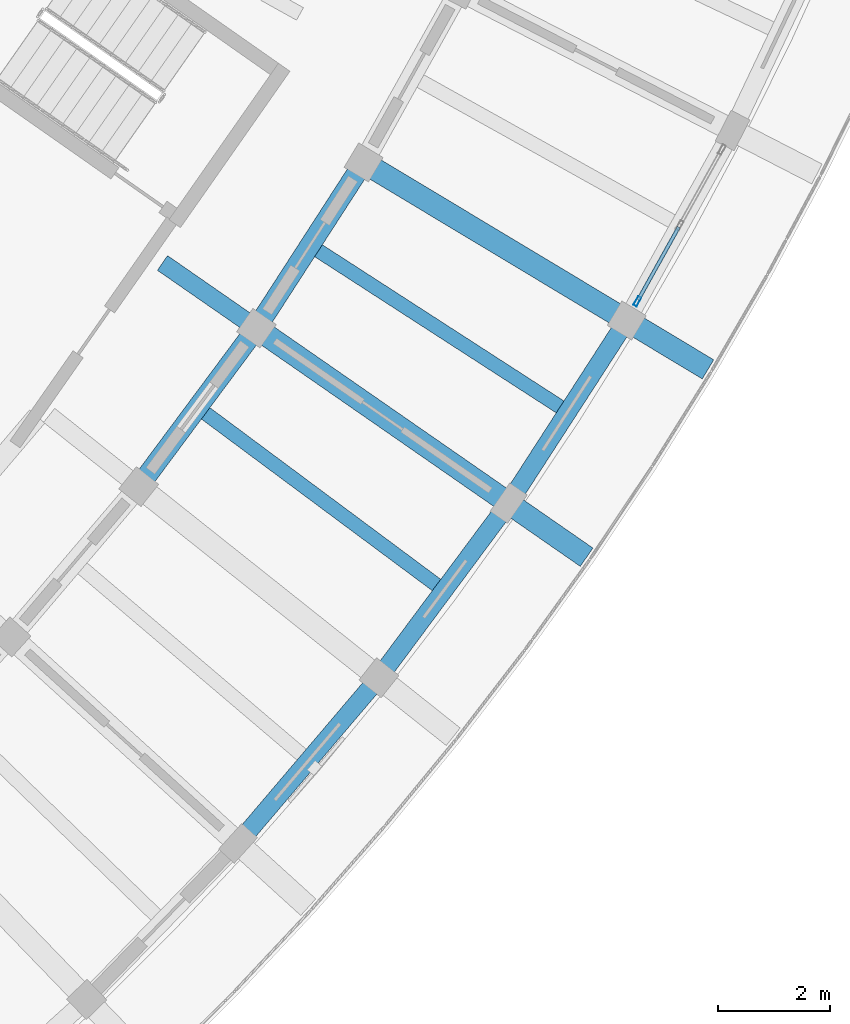
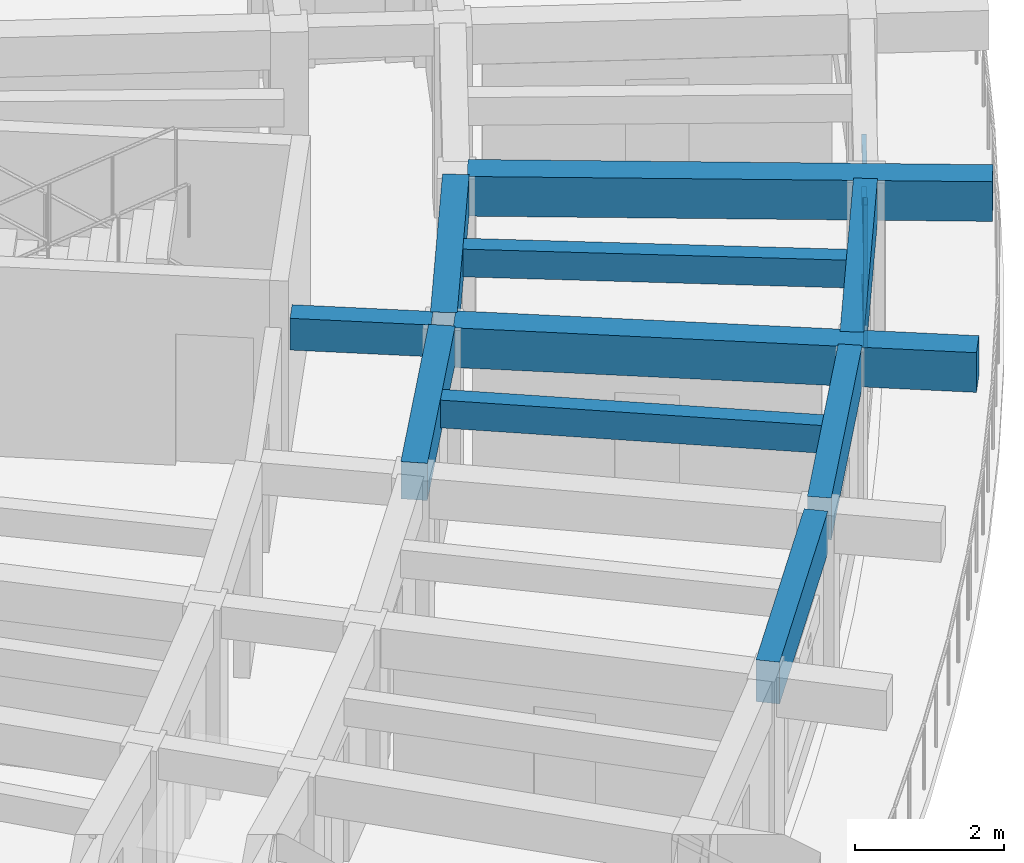
# One storey, part 23 of 83: 10 beams, 4 members, 1 element without a shape of its own.
"""IFC4 building model written with IfcOpenShell, lengths in metres."""

from ifc_helpers import new_model, si_unit, direction, frame, origin, origin_2d, place, context, subcontext, project, spatial, rectangle, hollow_rectangle, extrude, material, material_profile, profile_set, type_object, element, aggregate, save


model = new_model("IFC4")

# Units and contexts
model_context = context("Model", 3, precision=1e-05, world=origin(), true_north=direction((0.0, 1.0)))
body_context = subcontext(model_context, "Body", "Model", "MODEL_VIEW")
ifc_project = project(units=[si_unit("LENGTHUNIT", "METRE"), si_unit("AREAUNIT", "SQUARE_METRE"), si_unit("VOLUMEUNIT", "CUBIC_METRE"), si_unit("PLANEANGLEUNIT", "RADIAN"), si_unit("MASSUNIT", "GRAM", prefix="KILO")], contexts=[model_context])

# Site, building, storey
site_placement = place(None, origin())
site = spatial("IfcSite", under=ifc_project, at=site_placement, CompositionType="ELEMENT")
building_placement = place(site_placement, origin())
building = spatial("IfcBuilding", under=site, at=building_placement, Name="Tanwirah Colonnade Gardens", CompositionType="ELEMENT")
storey_placement = place(building_placement, frame((0.0, 0.0, 25.639892578125)))
storey = spatial("IfcBuildingStorey", under=building, at=storey_placement, Name="L07", CompositionType="ELEMENT", Elevation=25.639892578125)

# Beams
ifc_material_1 = material(Name="Precast concrete C40/50", Category="concrete")
ifc_material_profile_1 = material_profile(ifc_material_1, rectangle(XDim=0.360107421875, YDim=0.610107421875, at=origin_2d()), Name="PC-BM 360x610")
ifc_profile_set_1 = profile_set([ifc_material_profile_1], Name="Precast concrete C40/50")
beam_type_1 = type_object("IfcBeamType", Name="BM-PC300", PredefinedType="BEAM", material=ifc_profile_set_1)
beam_1_placement = place(storey_placement, frame((163.389404296875, 30.973388671875, 2.80517578125), z_axis=(0.596579473879, 0.802554005252, 0.0), x_axis=(-0.802554005252, 0.596579473879, 0.0)))
element("IfcBeam", 1, at=beam_1_placement, inside=storey, type_object=beam_type_1, Name="Block D L07 Circumferential Beam 10-R2", PredefinedType="BEAM", context=body_context, shape_type="SweptSolid", body=[
    extrude(rectangle(XDim=0.360107421875, YDim=0.610107421875, at=origin_2d()), origin(), (0.0, 0.0, 1.0), 3.237060546875),
])
beam_2_placement = place(storey_placement, frame((165.491455078125, 33.817626953125, 2.80517578125), z_axis=(0.542825891173, 0.839845254718, 0.0), x_axis=(-0.839845254718, 0.542825891173, 0.0)))
element("IfcBeam", 2, at=beam_2_placement, inside=storey, type_object=beam_type_1, Name="Block D L07 Circumferential Beam 11-R2", PredefinedType="BEAM", context=body_context, shape_type="SweptSolid", body=[
    extrude(rectangle(XDim=0.360107421875, YDim=0.610107421875, at=origin_2d()), origin(), (0.0, 0.0, 1.0), 3.23681640625),
])
ifc_material_profile_2 = material_profile(ifc_material_1, rectangle(XDim=0.320068359375, YDim=0.52001953125, at=origin_2d()), Name="PC-BM 320x520")
ifc_profile_set_2 = profile_set([ifc_material_profile_2], Name="Precast concrete C40/50")
beam_type_2 = type_object("IfcBeamType", Name="BM-PC320", PredefinedType="BEAM", material=ifc_profile_set_2)
beam_3_placement = place(storey_placement, frame((163.7255859375, 34.860107421875, 2.85009765625), z_axis=(0.821669163201, -0.569964723684, 0.0), x_axis=(0.569964723684, 0.821669163201, 0.0)))
element("IfcBeam", 3, at=beam_3_placement, inside=storey, type_object=beam_type_2, Name="Block D L07 Corridor Tie Beam 11", PredefinedType="BEAM", context=body_context, shape_type="SweptSolid", body=[
    extrude(rectangle(XDim=0.320068359375, YDim=0.52001953125, at=origin_2d()), origin(), (0.0, 0.0, 1.0), 1.900146484375),
])
ifc_material_2 = material(Name="Precast concrete C45/55", Category="concrete")
ifc_material_profile_3 = material_profile(ifc_material_2, rectangle(XDim=0.39990234375, YDim=0.64990234375, at=origin_2d()), Name="PC-BM 400x650")
ifc_profile_set_3 = profile_set([ifc_material_profile_3], Name="Precast concrete C45/55")
beam_type_3 = type_object("IfcBeamType", Name="BM-PC400", PredefinedType="BEAM", material=ifc_profile_set_3)
for number, where, z_axis, x_axis, name in (
    (4, (165.533203125, 33.606201171875, 2.78515625), (0.821647028495, -0.569996632066, 0.0), (0.569996632066, 0.821647028495, 0.0), "Block D L07 Outer Radial Precast Girder 11"),
    (5, (167.45849609375, 36.5849609375, 2.78515625), (0.857159687729, -0.515050744812, 0.0), (0.515050744812, 0.857159687729, 0.0), "Block D L07 Outer Radial Precast Girder 12"),
):
    element("IfcBeam", number, at=place(storey_placement, frame(where, z_axis=z_axis, x_axis=x_axis)), inside=storey, type_object=beam_type_3, Name=name, PredefinedType="BEAM", context=body_context, shape_type="SweptSolid", body=[
        extrude(rectangle(XDim=0.39990234375, YDim=0.64990234375, at=origin_2d()), origin(), (0.0, 0.0, 1.0), 7.050048828125),
    ])

# Curtain wall, members
ifc_material_3 = material(Name="Bronze-anodised aluminium and solar-control low-E glass", Category="aluminium")
curtain_wall_type = type_object("IfcCurtainWallType", Name="CW-LOB", PredefinedType="NOTDEFINED", material=ifc_material_3)
curtain_wall_placement = place(storey_placement, origin())
curtain_wall = element("IfcCurtainWall", 6, at=curtain_wall_placement, inside=storey, type_object=curtain_wall_type, Name="Curtain Wall CW-D-L07-OUT-12", PredefinedType="NOTDEFINED")
ifc_material_4 = material(Name="Bronze-anodised aluminium", Category="aluminium")
ifc_material_profile_4 = material_profile(ifc_material_4, hollow_rectangle(XDim=0.06494140625, YDim=0.179931640625, WallThickness=0.00390625, at=origin_2d()), Name="CW-MUL 65x180x4")
ifc_profile_set_4 = profile_set([ifc_material_profile_4], Name="Bronze-anodised aluminium")
member_type_1 = type_object("IfcMemberType", Name="CWM-65x180", PredefinedType="MULLION", material=ifc_profile_set_4)
member_1_placement = place(storey_placement, frame((172.2353515625, 34.17236328125, 0.0), z_axis=(0.0, 0.0, 1.0), x_axis=(-0.873560768318, 0.486715095364, 0.0)))
member_1 = element("IfcMember", 7, at=member_1_placement, type_object=member_type_1, Name="CW-LOB mullion 1", PredefinedType="MULLION", context=body_context, shape_type="SweptSolid", body=[
    extrude(hollow_rectangle(XDim=0.06494140625, YDim=0.179931640625, WallThickness=0.00390625, at=origin_2d()), origin(), (0.0, 0.0, 1.0), 2.355224609375),
])
ifc_material_profile_5 = material_profile(ifc_material_4, hollow_rectangle(XDim=0.06494140625, YDim=0.135009765625, WallThickness=0.00390625, at=origin_2d()), Name="CW-TRN 65x135x4")
ifc_profile_set_5 = profile_set([ifc_material_profile_5], Name="Bronze-anodised aluminium")
member_type_2 = type_object("IfcMemberType", Name="CWT-65x135", PredefinedType="USERDEFINED", material=ifc_profile_set_5)
member_2_placement = place(storey_placement, frame((172.251220703125, 34.20068359375, 0.03271484375), z_axis=(0.486657529313, 0.873592839464, 0.0), x_axis=(-0.873592839464, 0.486657529313, 0.0)))
member_2 = element("IfcMember", 8, at=member_2_placement, type_object=member_type_2, Name="CW-LOB transom 1.1", ObjectType="TRANSOM", PredefinedType="USERDEFINED", context=body_context, shape_type="SweptSolid", body=[
    extrude(hollow_rectangle(XDim=0.06494140625, YDim=0.135009765625, WallThickness=0.00390625, at=origin_2d()), origin(), (0.0, 0.0, 1.0), 1.490966796875),
])
member_3_placement = place(storey_placement, frame((172.251220703125, 34.20068359375, 1.460205078125), z_axis=(0.486657529313, 0.873592839464, 0.0), x_axis=(-0.873592839464, 0.486657529313, 0.0)))
member_3 = element("IfcMember", 9, at=member_3_placement, type_object=member_type_2, Name="CW-LOB transom 1.2", ObjectType="TRANSOM", PredefinedType="USERDEFINED", context=body_context, shape_type="SweptSolid", body=[
    extrude(hollow_rectangle(XDim=0.06494140625, YDim=0.135009765625, WallThickness=0.00390625, at=origin_2d()), origin(), (0.0, 0.0, 1.0), 1.490966796875),
])
member_4_placement = place(storey_placement, frame((172.251220703125, 34.20068359375, 2.322509765625), z_axis=(0.486657529313, 0.873592839464, 0.0), x_axis=(-0.873592839464, 0.486657529313, 0.0)))
member_4 = element("IfcMember", 10, at=member_4_placement, type_object=member_type_2, Name="CW-LOB transom 1.3", ObjectType="TRANSOM", PredefinedType="USERDEFINED", context=body_context, shape_type="SweptSolid", body=[
    extrude(hollow_rectangle(XDim=0.06494140625, YDim=0.135009765625, WallThickness=0.00390625, at=origin_2d()), origin(), (0.0, 0.0, 1.0), 1.490966796875),
])
aggregate(curtain_wall, [member_1, member_2, member_3, member_4])

# Beams
ifc_material_profile_6 = material_profile(ifc_material_1, rectangle(XDim=0.2548828125, YDim=0.455078125, at=origin_2d()), Name="PC-JST 255x455")
ifc_profile_set_6 = profile_set([ifc_material_profile_6], Name="Precast concrete C40/50")
beam_type_4 = type_object("IfcBeamType", Name="JST-PC240", PredefinedType="JOIST", material=ifc_profile_set_6)
for number, where, z_axis, x_axis, name in (
    (11, (164.474609375, 32.18359375, 2.882568359375), (0.802560347737, -0.596570941499, 0.0), (0.596570941499, 0.802560347737, 0.0), "Block D L07 Precast Floor Joist 10"),
    (12, (166.4951171875, 35.09619140625, 2.882568359375), (0.839842770955, -0.542829733963, 0.0), (0.542829733963, 0.839842770955, 0.0), "Block D L07 Precast Floor Joist 11"),
):
    element("IfcBeam", number, at=place(storey_placement, frame(where, z_axis=z_axis, x_axis=x_axis)), inside=storey, type_object=beam_type_4, Name=name, PredefinedType="JOIST", context=body_context, shape_type="SweptSolid", body=[
        extrude(rectangle(XDim=0.2548828125, YDim=0.455078125, at=origin_2d()), origin(), (0.0, 0.0, 1.0), 5.260009765625),
    ])
ifc_material_profile_7 = material_profile(ifc_material_1, rectangle(XDim=0.324951171875, YDim=0.68505859375, at=origin_2d()), Name="PC-SP 325x685")
ifc_profile_set_7 = profile_set([ifc_material_profile_7], Name="Precast concrete C40/50")
beam_type_5 = type_object("IfcBeamType", Name="SP-PC260", PredefinedType="SPANDREL", material=ifc_profile_set_7)
beam_4_placement = place(storey_placement, frame((165.17724609375, 24.574951171875, 2.767578125), z_axis=(0.647784367984, 0.76182374116, 0.0), x_axis=(-0.76182374116, 0.647784367984, 0.0)))
element("IfcBeam", 13, at=beam_4_placement, inside=storey, type_object=beam_type_5, Name="Block D L07 Circumferential Beam 9-R3", PredefinedType="SPANDREL", context=body_context, shape_type="SweptSolid", body=[
    extrude(rectangle(XDim=0.324951171875, YDim=0.68505859375, at=origin_2d()), origin(), (0.0, 0.0, 1.0), 3.5966796875),
])
for number, where, z_axis, x_axis, name in (
    (14, (167.69384765625, 27.549560546875, 2.767578125), (0.596562665898, 0.802566499212, 0.0), (-0.802566499212, 0.596562665898, 0.0), "Block D L07 Circumferential Beam 10-R3"),
    (15, (170.010498046875, 30.6826171875, 2.767578125), (0.542786838894, 0.839870494495, 0.0), (-0.839870494495, 0.542786838894, 0.0), "Block D L07 Circumferential Beam 11-R3"),
):
    element("IfcBeam", number, at=place(storey_placement, frame(where, z_axis=z_axis, x_axis=x_axis)), inside=storey, type_object=beam_type_5, Name=name, PredefinedType="SPANDREL", context=body_context, shape_type="SweptSolid", body=[
        extrude(rectangle(XDim=0.324951171875, YDim=0.68505859375, at=origin_2d()), origin(), (0.0, 0.0, 1.0), 3.596923828125),
    ])

save(model, "model.ifc")
